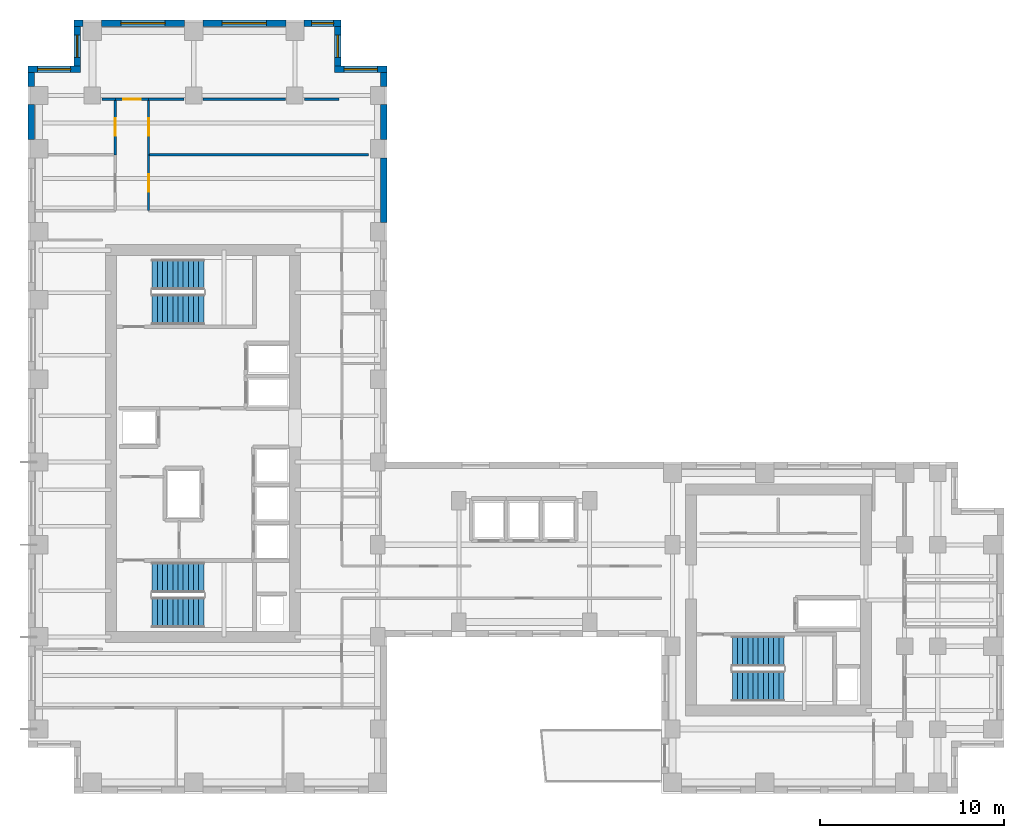
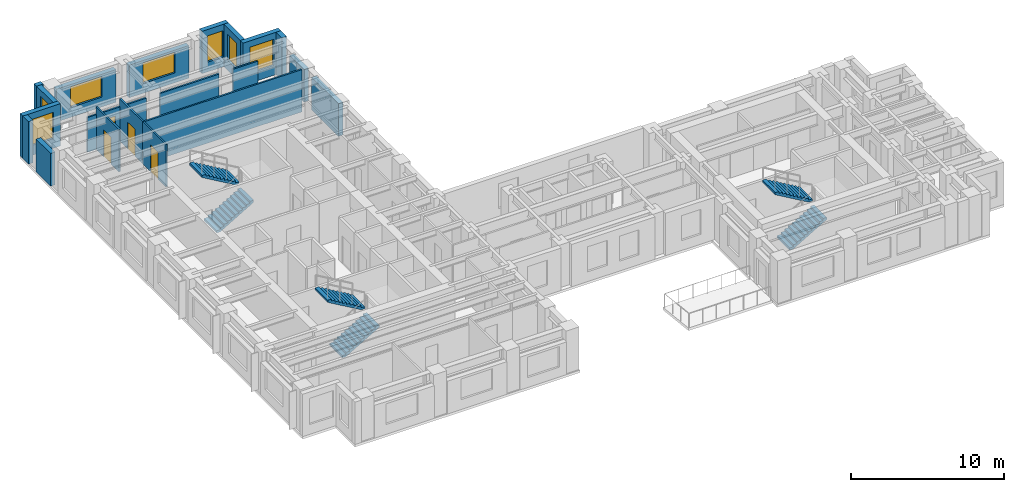
# One storey, part 8 of 11: 22 walls, 7 windows, 6 stair flights, 4 doors, 11 openings, 3 elements without a shape of their own.
"""IFC4 building model written with IfcOpenShell, lengths in metres."""

from ifc_helpers import new_model, si_unit, direction, frame, frame_2d, origin, place, context, subcontext, project, spatial, polyline, rectangle, outline, extrude, source, transform, mapped, material, layer, layer_set, type_object, element, fill, aggregate, save


model = new_model("IFC4")

# Units and contexts
model_context = context("Model", 3, precision=1e-05, world=origin(), true_north=direction((0.0, 1.0)))
body_context = subcontext(model_context, "Body", "Model", "MODEL_VIEW")
ifc_project = project(units=[si_unit("LENGTHUNIT", "METRE"), si_unit("AREAUNIT", "SQUARE_METRE"), si_unit("VOLUMEUNIT", "CUBIC_METRE"), si_unit("PLANEANGLEUNIT", "RADIAN"), si_unit("MASSUNIT", "GRAM", prefix="KILO")], contexts=[model_context])

# Site, building, storey
site_placement = place(None, origin())
site = spatial("IfcSite", under=ifc_project, at=site_placement, CompositionType="ELEMENT")
building_placement = place(site_placement, origin())
building = spatial("IfcBuilding", under=site, at=building_placement, Name="Kharzan Plaza Tower", CompositionType="ELEMENT")
storey_placement = place(building_placement, frame((0.0, 0.0, 193.5)))
storey = spatial("IfcBuildingStorey", under=building, at=storey_placement, Name="L52", CompositionType="ELEMENT", Elevation=193.5)

# Wall, opening, window
ifc_material_1 = material(Name="Concrete C40/50", Category="concrete")
ifc_layer_1 = layer(ifc_material_1, 0.35009765625)
ifc_layer_set_1 = layer_set([ifc_layer_1], Name="Concrete C40/50")
wall_type_1 = type_object("IfcWallType", Name="WL-EXT-MAS-Z3", PredefinedType="SOLIDWALL", material=ifc_layer_set_1)
wall_1_placement = place(storey_placement, frame((19.5, 39.324951171875, 0.0), z_axis=(0.0, 0.0, 1.0), x_axis=(-1.0, 0.0, 0.0)))
wall_1 = element("IfcWall", 1, at=wall_1_placement, inside=storey, type_object=wall_type_1, Name="L52 Masonry-Frame Exterior Wall 01", PredefinedType="SOLIDWALL", context=body_context, shape_type="SweptSolid", body=[
    extrude(rectangle(XDim=2.85009765625, YDim=0.35009765625, at=frame_2d((1.425048828125, 0.0))), origin(), (0.0, 0.0, 1.0), 3.385009765625),
])
opening_1_placement = place(wall_1_placement, frame((0.52490234375, 0.0, 0.780029296875)))
opening_1 = element("IfcOpeningElement", 2, at=opening_1_placement, cuts=wall_1, Name="Opening W1", PredefinedType="OPENING", context=body_context, shape_type="SweptSolid", body=[
    extrude(rectangle(XDim=1.800048828125, YDim=2.10009765625, at=frame_2d((0.89990234375, 1.050048828125))), frame((0.0, 0.18505859375, 0.0), z_axis=(0.0, -1.0, 0.0), x_axis=(1.0, 0.0, 0.0)), (0.0, 0.0, 1.0), 0.3701171875),
])
ifc_material_2 = material(Name="Low-E Double Glazing", Category="glass")
window_type_1 = type_object("IfcWindowType", Name="WN-REC-1800x2100", PartitioningType="SINGLE_PANEL", PredefinedType="WINDOW", material=ifc_material_2)
shared_shape_1 = source(origin(), body_context, "Body", "SweptSolid", [
    extrude(rectangle(XDim=1.800048828125, YDim=2.10009765625, at=frame_2d((0.89990234375, 1.050048828125))), frame((0.0, 0.030029296875, 0.0), z_axis=(0.0, -1.0, 0.0), x_axis=(1.0, 0.0, 0.0)), (0.0, 0.0, 1.0), 0.06005859375),
])
window_1_placement = place(opening_1_placement, origin())
window_1 = element("IfcWindow", 3, at=window_1_placement, inside=storey, type_object=window_type_1, Name="L52 Recessed Solar-Control Window 01-1", OverallHeight=2.10009765625, OverallWidth=1.800048828125, PartitioningType="SINGLE_PANEL", PredefinedType="WINDOW", context=body_context, shape_type="MappedRepresentation", body=[
    mapped(shared_shape_1, transform((0.0, 0.0, 0.0), x_axis=(1.0, 0.0, 0.0), y_axis=(0.0, 1.0, 0.0), z_axis=(0.0, 0.0, 1.0))),
])
fill(opening_1, window_1)

wall_2_placement = place(storey_placement, frame((16.824951171875, 39.498046875, 0.0), z_axis=(0.0, 0.0, 1.0), x_axis=(0.0, 1.0, 0.0)))
wall_2 = element("IfcWall", 4, at=wall_2_placement, inside=storey, type_object=wall_type_1, Name="L52 Masonry-Frame Exterior Wall 02", PredefinedType="SOLIDWALL", context=body_context, shape_type="SweptSolid", body=[
    extrude(rectangle(XDim=2.154052734375, YDim=0.35009765625, at=frame_2d((1.0771484375, 0.0))), origin(), (0.0, 0.0, 1.0), 3.385009765625),
])
opening_2_placement = place(wall_2_placement, frame((0.47705078125, 0.0, 0.780029296875)))
opening_2 = element("IfcOpeningElement", 5, at=opening_2_placement, cuts=wall_2, Name="Opening W3", PredefinedType="OPENING", context=body_context, shape_type="SweptSolid", body=[
    extrude(rectangle(XDim=1.199951171875, YDim=2.10009765625, at=frame_2d((0.60009765625, 1.050048828125))), frame((0.0, 0.18505859375, 0.0), z_axis=(0.0, -1.0, 0.0), x_axis=(1.0, 0.0, 0.0)), (0.0, 0.0, 1.0), 0.3701171875),
])
window_type_2 = type_object("IfcWindowType", Name="WN-REC-1200x2100", PartitioningType="SINGLE_PANEL", PredefinedType="WINDOW", material=ifc_material_2)
shared_shape_2 = source(origin(), body_context, "Body", "SweptSolid", [
    extrude(rectangle(XDim=1.199951171875, YDim=2.10009765625, at=frame_2d((0.60009765625, 1.050048828125))), frame((0.0, 0.030029296875, 0.0), z_axis=(0.0, -1.0, 0.0), x_axis=(1.0, 0.0, 0.0)), (0.0, 0.0, 1.0), 0.06005859375),
])
window_2_placement = place(opening_2_placement, origin())
window_2 = element("IfcWindow", 6, at=window_2_placement, inside=storey, type_object=window_type_2, Name="L52 Recessed Solar-Control Window 02-1", OverallHeight=2.10009765625, OverallWidth=1.199951171875, PartitioningType="SINGLE_PANEL", PredefinedType="WINDOW", context=body_context, shape_type="MappedRepresentation", body=[
    mapped(shared_shape_2, transform((0.0, 0.0, 0.0), x_axis=(1.0, 0.0, 0.0), y_axis=(0.0, 1.0, 0.0), z_axis=(0.0, 0.0, 1.0))),
])
fill(opening_2, window_2)

wall_3_placement = place(storey_placement, frame((17.0, 41.824951171875, 0.0), z_axis=(0.0, 0.0, 1.0), x_axis=(-1.0, 0.0, 0.0)))
wall_3 = element("IfcWall", 7, at=wall_3_placement, inside=storey, type_object=wall_type_1, Name="L52 Masonry-Frame Exterior Wall 03", PredefinedType="SOLIDWALL", context=body_context, shape_type="SweptSolid", body=[
    extrude(rectangle(XDim=2.001953125, YDim=0.35009765625, at=frame_2d((1.0009765625, 0.0))), origin(), (0.0, 0.0, 1.0), 3.385009765625),
])
opening_3_placement = place(wall_3_placement, frame((0.40087890625, 0.0, 0.780029296875)))
opening_3 = element("IfcOpeningElement", 8, at=opening_3_placement, cuts=wall_3, Name="Opening W3", PredefinedType="OPENING", context=body_context, shape_type="SweptSolid", body=[
    extrude(rectangle(XDim=1.199951171875, YDim=2.10009765625, at=frame_2d((0.60009765625, 1.050048828125))), frame((0.0, 0.18505859375, 0.0), z_axis=(0.0, -1.0, 0.0), x_axis=(1.0, 0.0, 0.0)), (0.0, 0.0, 1.0), 0.3701171875),
])
window_3_placement = place(opening_3_placement, origin())
window_3 = element("IfcWindow", 9, at=window_3_placement, inside=storey, type_object=window_type_2, Name="L52 Recessed Solar-Control Window 03-1", OverallHeight=2.10009765625, OverallWidth=1.199951171875, PartitioningType="SINGLE_PANEL", PredefinedType="WINDOW", context=body_context, shape_type="MappedRepresentation", body=[
    mapped(shared_shape_2, transform((0.0, 0.0, 0.0), x_axis=(1.0, 0.0, 0.0), y_axis=(0.0, 1.0, 0.0), z_axis=(0.0, 0.0, 1.0))),
])
fill(opening_3, window_3)

wall_4_placement = place(storey_placement, frame((14.001953125, 41.824951171875, 0.0), z_axis=(0.0, 0.0, 1.0), x_axis=(-1.0, 0.0, 0.0)))
wall_4 = element("IfcWall", 10, at=wall_4_placement, inside=storey, type_object=wall_type_1, Name="L52 Masonry-Frame Exterior Wall 04", PredefinedType="SOLIDWALL", context=body_context, shape_type="SweptSolid", body=[
    extrude(rectangle(XDim=4.50390625, YDim=0.35009765625, at=frame_2d((2.251953125, 0.0))), origin(), (0.0, 0.0, 1.0), 2.612060546875),
])
opening_4_placement = place(wall_4_placement, frame((1.052001953125, 0.0, 0.780029296875)))
opening_4 = element("IfcOpeningElement", 11, at=opening_4_placement, cuts=wall_4, Name="Opening W2", PredefinedType="OPENING", context=body_context, shape_type="SweptSolid", body=[
    extrude(rectangle(XDim=2.39990234375, YDim=1.652099609375, at=frame_2d((1.199951171875, 0.826171875))), frame((0.0, 0.18505859375, 0.0), z_axis=(0.0, -1.0, 0.0), x_axis=(1.0, 0.0, 0.0)), (0.0, 0.0, 1.0), 0.3701171875),
])
window_type_3 = type_object("IfcWindowType", Name="WN-REC-2400x2100", PartitioningType="SINGLE_PANEL", PredefinedType="WINDOW", material=ifc_material_2)
shared_shape_3 = source(origin(), body_context, "Body", "SweptSolid", [
    extrude(rectangle(XDim=2.39990234375, YDim=1.652099609375, at=frame_2d((1.199951171875, 0.826171875))), frame((0.0, 0.030029296875, 0.0), z_axis=(0.0, -1.0, 0.0), x_axis=(1.0, 0.0, 0.0)), (0.0, 0.0, 1.0), 0.06005859375),
])
window_4_placement = place(opening_4_placement, origin())
window_4 = element("IfcWindow", 12, at=window_4_placement, inside=storey, type_object=window_type_3, Name="L52 Wide Recessed Solar-Control Window 04-1", OverallHeight=1.652099609375, OverallWidth=2.39990234375, PartitioningType="SINGLE_PANEL", PredefinedType="WINDOW", context=body_context, shape_type="MappedRepresentation", body=[
    mapped(shared_shape_3, transform((0.0, 0.0, 0.0), x_axis=(1.0, 0.0, 0.0), y_axis=(0.0, 1.0, 0.0), z_axis=(0.0, 0.0, 1.0))),
])
fill(opening_4, window_4)

wall_5_placement = place(storey_placement, frame((8.501953125, 41.824951171875, 0.0), z_axis=(0.0, 0.0, 1.0), x_axis=(-1.0, 0.0, 0.0)))
wall_5 = element("IfcWall", 13, at=wall_5_placement, inside=storey, type_object=wall_type_1, Name="L52 Masonry-Frame Exterior Wall 05", PredefinedType="SOLIDWALL", context=body_context, shape_type="SweptSolid", body=[
    extrude(rectangle(XDim=4.50390625, YDim=0.35009765625, at=frame_2d((2.251953125, 0.0))), origin(), (0.0, 0.0, 1.0), 2.612060546875),
])
opening_5_placement = place(wall_5_placement, frame((1.052001953125, 0.0, 0.780029296875)))
opening_5 = element("IfcOpeningElement", 14, at=opening_5_placement, cuts=wall_5, Name="Opening W2", PredefinedType="OPENING", context=body_context, shape_type="SweptSolid", body=[
    extrude(rectangle(XDim=2.39990234375, YDim=1.652099609375, at=frame_2d((1.199951171875, 0.826171875))), frame((0.0, 0.18505859375, 0.0), z_axis=(0.0, -1.0, 0.0), x_axis=(1.0, 0.0, 0.0)), (0.0, 0.0, 1.0), 0.3701171875),
])
window_5_placement = place(opening_5_placement, origin())
window_5 = element("IfcWindow", 15, at=window_5_placement, inside=storey, type_object=window_type_3, Name="L52 Wide Recessed Solar-Control Window 05-1", OverallHeight=1.652099609375, OverallWidth=2.39990234375, PartitioningType="SINGLE_PANEL", PredefinedType="WINDOW", context=body_context, shape_type="MappedRepresentation", body=[
    mapped(shared_shape_3, transform((0.0, 0.0, 0.0), x_axis=(1.0, 0.0, 0.0), y_axis=(0.0, 1.0, 0.0), z_axis=(0.0, 0.0, 1.0))),
])
fill(opening_5, window_5)

wall_6_placement = place(storey_placement, frame((2.675048828125, 41.652099609375, 0.0), z_axis=(0.0, 0.0, 1.0), x_axis=(0.0, -1.0, 0.0)))
wall_6 = element("IfcWall", 16, at=wall_6_placement, inside=storey, type_object=wall_type_1, Name="L52 Masonry-Frame Exterior Wall 07", PredefinedType="SOLIDWALL", context=body_context, shape_type="SweptSolid", body=[
    extrude(rectangle(XDim=2.154052734375, YDim=0.35009765625, at=frame_2d((1.0771484375, 0.0))), origin(), (0.0, 0.0, 1.0), 3.385009765625),
])
opening_6_placement = place(wall_6_placement, frame((0.47705078125, 0.0, 0.780029296875)))
opening_6 = element("IfcOpeningElement", 17, at=opening_6_placement, cuts=wall_6, Name="Opening W3", PredefinedType="OPENING", context=body_context, shape_type="SweptSolid", body=[
    extrude(rectangle(XDim=1.199951171875, YDim=2.10009765625, at=frame_2d((0.60009765625, 1.050048828125))), frame((0.0, 0.18505859375, 0.0), z_axis=(0.0, -1.0, 0.0), x_axis=(1.0, 0.0, 0.0)), (0.0, 0.0, 1.0), 0.3701171875),
])
window_6_placement = place(opening_6_placement, origin())
window_6 = element("IfcWindow", 18, at=window_6_placement, inside=storey, type_object=window_type_2, Name="L52 Recessed Solar-Control Window 07-1", OverallHeight=2.10009765625, OverallWidth=1.199951171875, PartitioningType="SINGLE_PANEL", PredefinedType="WINDOW", context=body_context, shape_type="MappedRepresentation", body=[
    mapped(shared_shape_2, transform((0.0, 0.0, 0.0), x_axis=(1.0, 0.0, 0.0), y_axis=(0.0, 1.0, 0.0), z_axis=(0.0, 0.0, 1.0))),
])
fill(opening_6, window_6)

wall_7_placement = place(storey_placement, frame((2.85009765625, 39.324951171875, 0.0), z_axis=(0.0, 0.0, 1.0), x_axis=(-1.0, 0.0, 0.0)))
wall_7 = element("IfcWall", 19, at=wall_7_placement, inside=storey, type_object=wall_type_1, Name="L52 Masonry-Frame Exterior Wall 08", PredefinedType="SOLIDWALL", context=body_context, shape_type="SweptSolid", body=[
    extrude(rectangle(XDim=2.85009765625, YDim=0.35009765625, at=frame_2d((1.425048828125, 0.0))), origin(), (0.0, 0.0, 1.0), 3.385009765625),
])
opening_7_placement = place(wall_7_placement, frame((0.52490234375, 0.0, 0.780029296875)))
opening_7 = element("IfcOpeningElement", 20, at=opening_7_placement, cuts=wall_7, Name="Opening W1", PredefinedType="OPENING", context=body_context, shape_type="SweptSolid", body=[
    extrude(rectangle(XDim=1.800048828125, YDim=2.10009765625, at=frame_2d((0.89990234375, 1.050048828125))), frame((0.0, 0.18505859375, 0.0), z_axis=(0.0, -1.0, 0.0), x_axis=(1.0, 0.0, 0.0)), (0.0, 0.0, 1.0), 0.3701171875),
])
window_7_placement = place(opening_7_placement, origin())
window_7 = element("IfcWindow", 21, at=window_7_placement, inside=storey, type_object=window_type_1, Name="L52 Recessed Solar-Control Window 08-1", OverallHeight=2.10009765625, OverallWidth=1.800048828125, PartitioningType="SINGLE_PANEL", PredefinedType="WINDOW", context=body_context, shape_type="MappedRepresentation", body=[
    mapped(shared_shape_1, transform((0.0, 0.0, 0.0), x_axis=(1.0, 0.0, 0.0), y_axis=(0.0, 1.0, 0.0), z_axis=(0.0, 0.0, 1.0))),
])
fill(opening_7, window_7)

# Wall, opening, door
ifc_material_3 = material(Name="Fire-Rated Gypsum Board Partition", Category="gypsum")
ifc_layer_2 = layer(ifc_material_3, 0.125)
ifc_layer_set_2 = layer_set([ifc_layer_2], Name="Fire-Rated Gypsum Board Partition")
wall_type_2 = type_object("IfcWallType", Name="WL-INT-PART-125", PredefinedType="PARTITIONING", material=ifc_layer_set_2)
wall_8_placement = place(storey_placement, frame((6.550048828125, 31.64990234375, 0.0), z_axis=(0.0, 0.0, 1.0), x_axis=(0.0, 1.0, 0.0)))
wall_8 = element("IfcWall", 22, at=wall_8_placement, inside=storey, type_object=wall_type_2, Name="L52 Interior Partition SH-SPE-1", PredefinedType="PARTITIONING", context=body_context, shape_type="SweptSolid", body=[
    extrude(rectangle(XDim=3.025146484375, YDim=0.125, at=frame_2d((1.5126953125, 0.0))), origin(), (0.0, 0.0, 1.0), 3.385009765625),
])
opening_8_placement = place(wall_8_placement, frame((1.03759765625, 0.0, 0.0)))
opening_8 = element("IfcOpeningElement", 23, at=opening_8_placement, cuts=wall_8, Name="Opening OD1", PredefinedType="OPENING", context=body_context, shape_type="SweptSolid", body=[
    extrude(rectangle(XDim=0.949951171875, YDim=2.14990234375, at=frame_2d((0.47509765625, 1.074951171875))), frame((0.0, 0.072509765625, 0.0), z_axis=(0.0, -1.0, 0.0), x_axis=(1.0, 0.0, 0.0)), (0.0, 0.0, 1.0), 0.14501953125),
])
ifc_material_4 = material(Name="Acoustic Solid-Core Stained Oak", Category="timber")
door_type = type_object("IfcDoorType", Name="DR-OFF-SINGLE", OperationType="NOTDEFINED", PredefinedType="DOOR", material=ifc_material_4)
shared_shape_4 = source(origin(), body_context, "Body", "SweptSolid", [
    extrude(rectangle(XDim=0.949951171875, YDim=2.14990234375, at=frame_2d((0.47509765625, 1.074951171875))), frame((0.0, 0.02490234375, 0.0), z_axis=(0.0, -1.0, 0.0), x_axis=(1.0, 0.0, 0.0)), (0.0, 0.0, 1.0), 0.050048828125),
])
door_1_placement = place(opening_8_placement, origin())
door_1 = element("IfcDoor", 24, at=door_1_placement, inside=storey, type_object=door_type, Name="L52 Maritime Simulation Studio Door", OperationType="SINGLE_SWING_RIGHT", OverallHeight=2.14990234375, OverallWidth=0.949951171875, PredefinedType="DOOR", context=body_context, shape_type="MappedRepresentation", body=[
    mapped(shared_shape_4, transform((0.0, 0.0, 0.0), x_axis=(1.0, 0.0, 0.0), y_axis=(0.0, 1.0, 0.0), z_axis=(0.0, 0.0, 1.0))),
])
fill(opening_8, door_1)

wall_9_placement = place(storey_placement, frame((6.550048828125, 34.675048828125, 0.0), z_axis=(0.0, 0.0, 1.0), x_axis=(0.0, 1.0, 0.0)))
wall_9 = element("IfcWall", 25, at=wall_9_placement, inside=storey, type_object=wall_type_2, Name="L52 Interior Partition SH-SPE-2", PredefinedType="PARTITIONING", context=body_context, shape_type="SweptSolid", body=[
    extrude(rectangle(XDim=3.02490234375, YDim=0.125, at=frame_2d((1.512451171875, 0.0))), origin(), (0.0, 0.0, 1.0), 3.385009765625),
])
opening_9_placement = place(wall_9_placement, frame((1.03759765625, 0.0, 0.0)))
opening_9 = element("IfcOpeningElement", 26, at=opening_9_placement, cuts=wall_9, Name="Opening OD1", PredefinedType="OPENING", context=body_context, shape_type="SweptSolid", body=[
    extrude(rectangle(XDim=0.949951171875, YDim=2.14990234375, at=frame_2d((0.47509765625, 1.074951171875))), frame((0.0, 0.072509765625, 0.0), z_axis=(0.0, -1.0, 0.0), x_axis=(1.0, 0.0, 0.0)), (0.0, 0.0, 1.0), 0.14501953125),
])
door_2_placement = place(opening_9_placement, origin())
door_2 = element("IfcDoor", 27, at=door_2_placement, inside=storey, type_object=door_type, Name="L52 Maritime Simulation Studio Door", OperationType="SINGLE_SWING_LEFT", OverallHeight=2.14990234375, OverallWidth=0.949951171875, PredefinedType="DOOR", context=body_context, shape_type="MappedRepresentation", body=[
    mapped(shared_shape_4, transform((0.0, 0.0, 0.0), x_axis=(1.0, 0.0, 0.0), y_axis=(0.0, 1.0, 0.0), z_axis=(0.0, 0.0, 1.0))),
])
fill(opening_9, door_2)

wall_10_placement = place(storey_placement, frame((4.75, 37.699951171875, 0.0), z_axis=(0.0, 0.0, 1.0), x_axis=(1.0, 0.0, 0.0)))
wall_10 = element("IfcWall", 28, at=wall_10_placement, inside=storey, type_object=wall_type_2, Name="L52 Interior Partition SH-SPHD", PredefinedType="PARTITIONING", context=body_context, shape_type="SweptSolid", body=[
    extrude(rectangle(XDim=1.800048828125, YDim=0.125, at=frame_2d((0.89990234375, 0.0))), origin(), (0.0, 0.0, 1.0), 2.77294921875),
])
opening_10_placement = place(wall_10_placement, frame((0.425048828125, 0.0, 0.0)))
opening_10 = element("IfcOpeningElement", 29, at=opening_10_placement, cuts=wall_10, Name="Opening OD1", PredefinedType="OPENING", context=body_context, shape_type="SweptSolid", body=[
    extrude(rectangle(XDim=0.949951171875, YDim=2.14990234375, at=frame_2d((0.47509765625, 1.074951171875))), frame((0.0, 0.072509765625, 0.0), z_axis=(0.0, -1.0, 0.0), x_axis=(1.0, 0.0, 0.0)), (0.0, 0.0, 1.0), 0.14501953125),
])
door_3_placement = place(opening_10_placement, origin())
door_3 = element("IfcDoor", 30, at=door_3_placement, inside=storey, type_object=door_type, Name="L52 North Boardroom Door", OperationType="SINGLE_SWING_RIGHT", OverallHeight=2.14990234375, OverallWidth=0.949951171875, PredefinedType="DOOR", context=body_context, shape_type="MappedRepresentation", body=[
    mapped(shared_shape_4, transform((0.0, 0.0, 0.0), x_axis=(1.0, 0.0, 0.0), y_axis=(0.0, 1.0, 0.0), z_axis=(0.0, 0.0, 1.0))),
])
fill(opening_10, door_3)

wall_11_placement = place(storey_placement, frame((4.75, 34.675048828125, 0.0), z_axis=(0.0, 0.0, 1.0), x_axis=(0.0, 1.0, 0.0)))
wall_11 = element("IfcWall", 31, at=wall_11_placement, inside=storey, type_object=wall_type_2, Name="L52 Interior Partition SH-SPW-2", PredefinedType="PARTITIONING", context=body_context, shape_type="SweptSolid", body=[
    extrude(rectangle(XDim=3.02490234375, YDim=0.125, at=frame_2d((1.512451171875, 0.0))), origin(), (0.0, 0.0, 1.0), 3.385009765625),
])
opening_11_placement = place(wall_11_placement, frame((1.03759765625, 0.0, 0.0)))
opening_11 = element("IfcOpeningElement", 32, at=opening_11_placement, cuts=wall_11, Name="Opening OD1", PredefinedType="OPENING", context=body_context, shape_type="SweptSolid", body=[
    extrude(rectangle(XDim=0.949951171875, YDim=2.14990234375, at=frame_2d((0.47509765625, 1.074951171875))), frame((0.0, 0.072509765625, 0.0), z_axis=(0.0, -1.0, 0.0), x_axis=(1.0, 0.0, 0.0)), (0.0, 0.0, 1.0), 0.14501953125),
])
door_4_placement = place(opening_11_placement, origin())
door_4 = element("IfcDoor", 33, at=door_4_placement, inside=storey, type_object=door_type, Name="L52 Staff Tea Pantry Door", OperationType="SINGLE_SWING_LEFT", OverallHeight=2.14990234375, OverallWidth=0.949951171875, PredefinedType="DOOR", context=body_context, shape_type="MappedRepresentation", body=[
    mapped(shared_shape_4, transform((0.0, 0.0, 0.0), x_axis=(1.0, 0.0, 0.0), y_axis=(0.0, 1.0, 0.0), z_axis=(0.0, 0.0, 1.0))),
])
fill(opening_11, door_4)

# Walls
shared_shape_5 = source(origin(), body_context, "Body", "SweptSolid", [
    extrude(rectangle(XDim=0.501953125, YDim=0.35009765625, at=frame_2d((0.2509765625, 0.0))), origin(), (0.0, 0.0, 1.0), 3.385009765625),
])
wall_12_placement = place(storey_placement, frame((3.001953125, 41.824951171875, 0.0), z_axis=(0.0, 0.0, 1.0), x_axis=(-1.0, 0.0, 0.0)))
element("IfcWall", 34, at=wall_12_placement, inside=storey, type_object=wall_type_1, Name="L52 Masonry-Frame Exterior Wall 06", PredefinedType="SOLIDWALL", context=body_context, shape_type="MappedRepresentation", body=[
    mapped(shared_shape_5, transform((0.0, 0.0, 0.0), x_axis=(1.0, 0.0, 0.0), y_axis=(0.0, 1.0, 0.0), z_axis=(0.0, 0.0, 1.0))),
])
shared_shape_6 = source(origin(), body_context, "Body", "SweptSolid", [
    extrude(rectangle(XDim=0.754150390625, YDim=0.35009765625, at=frame_2d((0.376953125, 0.0))), origin(), (0.0, 0.0, 1.0), 3.385009765625),
])
for number, where, z_axis, x_axis, name in (
    (35, (0.175048828125, 39.152099609375, 0.0), (0.0, 0.0, 1.0), (0.0, -1.0, 0.0), "L52 Masonry-Frame Exterior Wall 09"),
    (36, (19.324951171875, 38.39794921875, 0.0), (0.0, 0.0, 1.0), (0.0, 1.0, 0.0), "L52 Masonry-Frame Exterior Wall 52"),
):
    element("IfcWall", number, at=place(storey_placement, frame(where, z_axis=z_axis, x_axis=x_axis)), inside=storey, type_object=wall_type_1, Name=name, PredefinedType="SOLIDWALL", context=body_context, shape_type="MappedRepresentation", body=[
        mapped(shared_shape_6, transform((0.0, 0.0, 0.0), x_axis=(1.0, 0.0, 0.0), y_axis=(0.0, 1.0, 0.0), z_axis=(0.0, 0.0, 1.0))),
    ])
shared_shape_7 = source(origin(), body_context, "Body", "SweptSolid", [
    extrude(rectangle(XDim=11.929931640625, YDim=0.125, at=frame_2d((5.96484375, 0.0))), origin(), (0.0, 0.0, 1.0), 3.385009765625),
])
wall_13_placement = place(storey_placement, frame((6.550048828125, 34.675048828125, 0.0), z_axis=(0.0, 0.0, 1.0), x_axis=(1.0, 0.0, 0.0)))
element("IfcWall", 37, at=wall_13_placement, inside=storey, type_object=wall_type_2, Name="L52 Interior Partition SH-NEH-1", PredefinedType="PARTITIONING", context=body_context, shape_type="MappedRepresentation", body=[
    mapped(shared_shape_7, transform((0.0, 0.0, 0.0), x_axis=(1.0, 0.0, 0.0), y_axis=(0.0, 1.0, 0.0), z_axis=(0.0, 0.0, 1.0))),
])
shared_shape_8 = source(origin(), body_context, "Body", "SweptSolid", [
    extrude(rectangle(XDim=1.929931640625, YDim=0.125, at=frame_2d((0.96484375, 0.0))), origin(), (0.0, 0.0, 1.0), 2.77294921875),
])
wall_14_placement = place(storey_placement, frame((6.550048828125, 37.699951171875, 0.0), z_axis=(0.0, 0.0, 1.0), x_axis=(1.0, 0.0, 0.0)))
element("IfcWall", 38, at=wall_14_placement, inside=storey, type_object=wall_type_2, Name="L52 Interior Partition SH-SPHE-S1", PredefinedType="PARTITIONING", context=body_context, shape_type="MappedRepresentation", body=[
    mapped(shared_shape_8, transform((0.0, 0.0, 0.0), x_axis=(1.0, 0.0, 0.0), y_axis=(0.0, 1.0, 0.0), z_axis=(0.0, 0.0, 1.0))),
])
shared_shape_9 = source(origin(), body_context, "Body", "SweptSolid", [
    extrude(rectangle(XDim=4.4599609375, YDim=0.125, at=frame_2d((2.22998046875, 0.0))), origin(), (0.0, 0.0, 1.0), 2.77294921875),
])
wall_15_placement = place(storey_placement, frame((9.52001953125, 37.699951171875, 0.0), z_axis=(0.0, 0.0, 1.0), x_axis=(1.0, 0.0, 0.0)))
element("IfcWall", 39, at=wall_15_placement, inside=storey, type_object=wall_type_2, Name="L52 Interior Partition SH-SPHE-S2", PredefinedType="PARTITIONING", context=body_context, shape_type="MappedRepresentation", body=[
    mapped(shared_shape_9, transform((0.0, 0.0, 0.0), x_axis=(1.0, 0.0, 0.0), y_axis=(0.0, 1.0, 0.0), z_axis=(0.0, 0.0, 1.0))),
])
shared_shape_10 = source(origin(), body_context, "Body", "SweptSolid", [
    extrude(rectangle(XDim=1.8798828125, YDim=0.125, at=frame_2d((0.93994140625, 0.0))), origin(), (0.0, 0.0, 1.0), 2.77294921875),
])
wall_16_placement = place(storey_placement, frame((15.02001953125, 37.699951171875, 0.0), z_axis=(0.0, 0.0, 1.0), x_axis=(1.0, 0.0, 0.0)))
element("IfcWall", 40, at=wall_16_placement, inside=storey, type_object=wall_type_2, Name="L52 Interior Partition SH-SPHE-S3", PredefinedType="PARTITIONING", context=body_context, shape_type="MappedRepresentation", body=[
    mapped(shared_shape_10, transform((0.0, 0.0, 0.0), x_axis=(1.0, 0.0, 0.0), y_axis=(0.0, 1.0, 0.0), z_axis=(0.0, 0.0, 1.0))),
])
shared_shape_11 = source(origin(), body_context, "Body", "SweptSolid", [
    extrude(rectangle(XDim=0.72998046875, YDim=0.125, at=frame_2d((0.364990234375, 0.0))), origin(), (0.0, 0.0, 1.0), 2.77294921875),
])
wall_17_placement = place(storey_placement, frame((4.02001953125, 37.699951171875, 0.0), z_axis=(0.0, 0.0, 1.0), x_axis=(1.0, 0.0, 0.0)))
element("IfcWall", 41, at=wall_17_placement, inside=storey, type_object=wall_type_2, Name="L52 Interior Partition SH-SPHW", PredefinedType="PARTITIONING", context=body_context, shape_type="MappedRepresentation", body=[
    mapped(shared_shape_11, transform((0.0, 0.0, 0.0), x_axis=(1.0, 0.0, 0.0), y_axis=(0.0, 1.0, 0.0), z_axis=(0.0, 0.0, 1.0))),
])
shared_shape_12 = source(origin(), body_context, "Body", "SweptSolid", [
    extrude(rectangle(XDim=1.904052734375, YDim=0.35009765625, at=frame_2d((0.9521484375, 0.0))), origin(), (0.0, 0.0, 1.0), 2.612060546875),
])
for number, where, z_axis, x_axis, name in (
    (42, (0.175048828125, 37.402099609375, 0.0), (0.0, 0.0, 1.0), (0.0, -1.0, 0.0), "L52 Masonry-Frame Exterior Wall 10"),
    (43, (19.324951171875, 35.498046875, 0.0), (0.0, 0.0, 1.0), (0.0, 1.0, 0.0), "L52 Masonry-Frame Exterior Wall 51"),
):
    element("IfcWall", number, at=place(storey_placement, frame(where, z_axis=z_axis, x_axis=x_axis)), inside=storey, type_object=wall_type_1, Name=name, PredefinedType="SOLIDWALL", context=body_context, shape_type="MappedRepresentation", body=[
        mapped(shared_shape_12, transform((0.0, 0.0, 0.0), x_axis=(1.0, 0.0, 0.0), y_axis=(0.0, 1.0, 0.0), z_axis=(0.0, 0.0, 1.0))),
    ])
shared_shape_13 = source(origin(), body_context, "Body", "SweptSolid", [
    extrude(rectangle(XDim=3.50390625, YDim=0.35009765625, at=frame_2d((1.751953125, 0.0))), origin(), (0.0, 0.0, 1.0), 2.612060546875),
])
wall_18_placement = place(storey_placement, frame((19.324951171875, 30.998046875, 0.0), z_axis=(0.0, 0.0, 1.0), x_axis=(0.0, 1.0, 0.0)))
element("IfcWall", 44, at=wall_18_placement, inside=storey, type_object=wall_type_1, Name="L52 Masonry-Frame Exterior Wall 50", PredefinedType="SOLIDWALL", context=body_context, shape_type="MappedRepresentation", body=[
    mapped(shared_shape_13, transform((0.0, 0.0, 0.0), x_axis=(1.0, 0.0, 0.0), y_axis=(0.0, 1.0, 0.0), z_axis=(0.0, 0.0, 1.0))),
])

# Stair, stair flights
stair_type_1 = type_object("IfcStairType", Name="STR-ST-1", PredefinedType="HALF_TURN_STAIR", material=ifc_material_1)
stair_1_placement = place(storey_placement, origin())
stair_1 = element("IfcStair", 45, at=stair_1_placement, inside=storey, type_object=stair_type_1, Name="L52 Protected Exit Stair ST-1", PredefinedType="HALF_TURN_STAIR")
stair_flight_type = type_object("IfcStairFlightType", Name="SFL-1650-R173", PredefinedType="STRAIGHT", material=ifc_material_1)
shared_shape_14 = source(origin(), body_context, "Body", "SweptSolid", [
    extrude(outline(polyline([(-0.0029296875, -0.011962890625), (-0.0029296875, 0.0), (0.0, 0.0), (0.0, 0.16357421875), (0.280029296875, 0.16357421875), (0.280029296875, 0.3271484375), (0.56005859375, 0.3271484375), (0.56005859375, 0.49072265625), (0.840087890625, 0.49072265625), (0.840087890625, 0.654296875), (1.1201171875, 0.654296875), (1.1201171875, 0.81787109375), (1.400146484375, 0.81787109375), (1.400146484375, 0.9814453125), (1.68017578125, 0.9814453125), (1.68017578125, 1.14501953125), (1.960205078125, 1.14501953125), (1.960205078125, 1.30859375), (2.240234375, 1.30859375), (2.240234375, 1.47216796875), (2.520263671875, 1.47216796875), (2.520263671875, 1.6357421875), (2.80029296875, 1.6357421875), (2.80029296875, 1.79931640625), (2.80029296875, 1.462158203125), (0.297119140625, 0.0), (0.297119140625, -0.011962890625), (-0.0029296875, -0.011962890625)])), frame((0.0, 0.824951171875, 0.0), z_axis=(0.0, -1.0, 0.0), x_axis=(1.0, 0.0, 0.0)), (0.0, 0.0, 1.0), 1.64990234375),
])
stair_flight_1_placement = place(storey_placement, frame((6.75, 9.824951171875, 0.0), z_axis=(0.0, 0.0, 1.0), x_axis=(1.0, 0.0, 0.0)))
stair_flight_1 = element("IfcStairFlight", 46, at=stair_flight_1_placement, type_object=stair_flight_type, Name="ST-1 flight 1", NumberOfRisers=11, NumberOfTreads=10, PredefinedType="STRAIGHT", RiserHeight=0.163636364, TreadLength=0.28, context=body_context, shape_type="MappedRepresentation", body=[
    mapped(shared_shape_14, transform((0.0, 0.0, 0.0), x_axis=(1.0, 0.0, 0.0), y_axis=(0.0, 1.0, 0.0), z_axis=(0.0, 0.0, 1.0))),
])
stair_flight_2_placement = place(storey_placement, frame((9.550048828125, 11.72509765625, 1.800048828125), z_axis=(0.0, 0.0, 1.0), x_axis=(-1.0, 0.0, 0.0)))
stair_flight_2 = element("IfcStairFlight", 47, at=stair_flight_2_placement, type_object=stair_flight_type, Name="ST-1 flight 2", NumberOfRisers=11, NumberOfTreads=10, PredefinedType="STRAIGHT", RiserHeight=0.163636364, TreadLength=0.28, context=body_context, shape_type="MappedRepresentation", body=[
    mapped(shared_shape_14, transform((0.0, 0.0, 0.0), x_axis=(1.0, 0.0, 0.0), y_axis=(0.0, 1.0, 0.0), z_axis=(0.0, 0.0, 1.0))),
])
aggregate(stair_1, [stair_flight_1, stair_flight_2])

stair_type_2 = type_object("IfcStairType", Name="STR-ST-2", PredefinedType="HALF_TURN_STAIR", material=ifc_material_1)
stair_2_placement = place(storey_placement, origin())
stair_2 = element("IfcStair", 48, at=stair_2_placement, inside=storey, type_object=stair_type_2, Name="L52 Protected Exit Stair ST-2", PredefinedType="HALF_TURN_STAIR")
stair_flight_3_placement = place(storey_placement, frame((6.75, 26.27490234375, 0.0), z_axis=(0.0, 0.0, 1.0), x_axis=(1.0, 0.0, 0.0)))
stair_flight_3 = element("IfcStairFlight", 49, at=stair_flight_3_placement, type_object=stair_flight_type, Name="ST-2 flight 1", NumberOfRisers=11, NumberOfTreads=10, PredefinedType="STRAIGHT", RiserHeight=0.163636364, TreadLength=0.28, context=body_context, shape_type="MappedRepresentation", body=[
    mapped(shared_shape_14, transform((0.0, 0.0, 0.0), x_axis=(1.0, 0.0, 0.0), y_axis=(0.0, 1.0, 0.0), z_axis=(0.0, 0.0, 1.0))),
])
stair_flight_4_placement = place(storey_placement, frame((9.550048828125, 28.175048828125, 1.800048828125), z_axis=(0.0, 0.0, 1.0), x_axis=(-1.0, 0.0, 0.0)))
stair_flight_4 = element("IfcStairFlight", 50, at=stair_flight_4_placement, type_object=stair_flight_type, Name="ST-2 flight 2", NumberOfRisers=11, NumberOfTreads=10, PredefinedType="STRAIGHT", RiserHeight=0.163636364, TreadLength=0.28, context=body_context, shape_type="MappedRepresentation", body=[
    mapped(shared_shape_14, transform((0.0, 0.0, 0.0), x_axis=(1.0, 0.0, 0.0), y_axis=(0.0, 1.0, 0.0), z_axis=(0.0, 0.0, 1.0))),
])
aggregate(stair_2, [stair_flight_3, stair_flight_4])

stair_type_3 = type_object("IfcStairType", Name="STR-ST-3", PredefinedType="HALF_TURN_STAIR", material=ifc_material_1)
stair_3_placement = place(storey_placement, origin())
stair_3 = element("IfcStair", 51, at=stair_3_placement, inside=storey, type_object=stair_type_3, Name="L52 Protected Exit Stair ST-3", PredefinedType="HALF_TURN_STAIR")
stair_flight_5_placement = place(storey_placement, frame((38.25, 5.824951171875, 0.0), z_axis=(0.0, 0.0, 1.0), x_axis=(1.0, 0.0, 0.0)))
stair_flight_5 = element("IfcStairFlight", 52, at=stair_flight_5_placement, type_object=stair_flight_type, Name="ST-3 flight 1", NumberOfRisers=11, NumberOfTreads=10, PredefinedType="STRAIGHT", RiserHeight=0.163636364, TreadLength=0.28, context=body_context, shape_type="MappedRepresentation", body=[
    mapped(shared_shape_14, transform((0.0, 0.0, 0.0), x_axis=(1.0, 0.0, 0.0), y_axis=(0.0, 1.0, 0.0), z_axis=(0.0, 0.0, 1.0))),
])
stair_flight_6_placement = place(storey_placement, frame((41.050048828125, 7.72509765625, 1.800048828125), z_axis=(0.0, 0.0, 1.0), x_axis=(-1.0, 0.0, 0.0)))
stair_flight_6 = element("IfcStairFlight", 53, at=stair_flight_6_placement, type_object=stair_flight_type, Name="ST-3 flight 2", NumberOfRisers=11, NumberOfTreads=10, PredefinedType="STRAIGHT", RiserHeight=0.163636364, TreadLength=0.28, context=body_context, shape_type="MappedRepresentation", body=[
    mapped(shared_shape_14, transform((0.0, 0.0, 0.0), x_axis=(1.0, 0.0, 0.0), y_axis=(0.0, 1.0, 0.0), z_axis=(0.0, 0.0, 1.0))),
])
aggregate(stair_3, [stair_flight_5, stair_flight_6])

save(model, "model.ifc")
